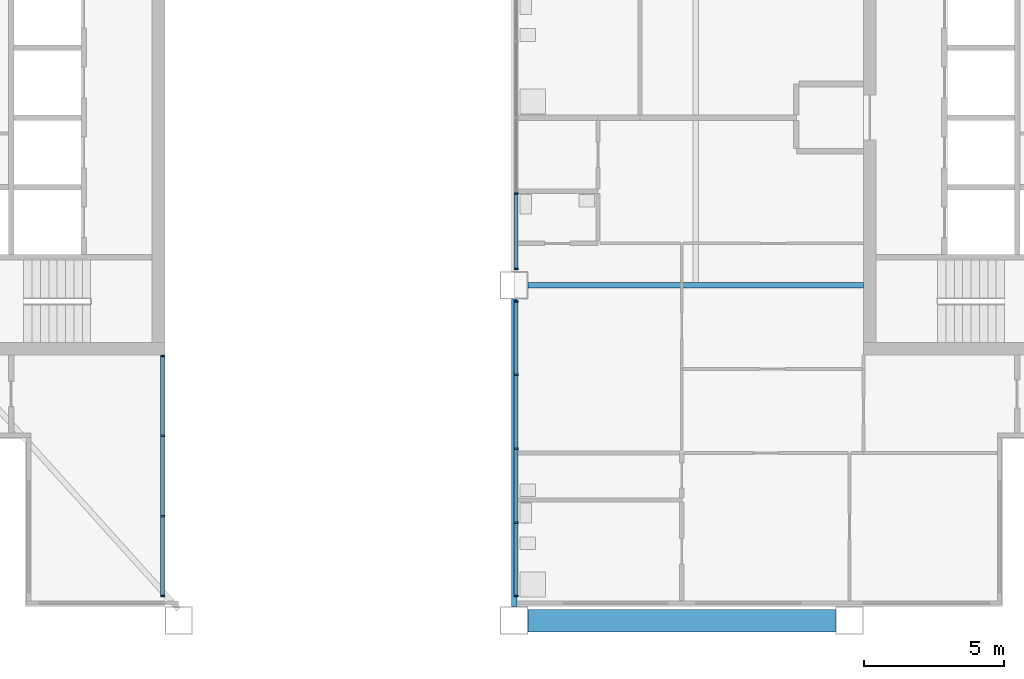
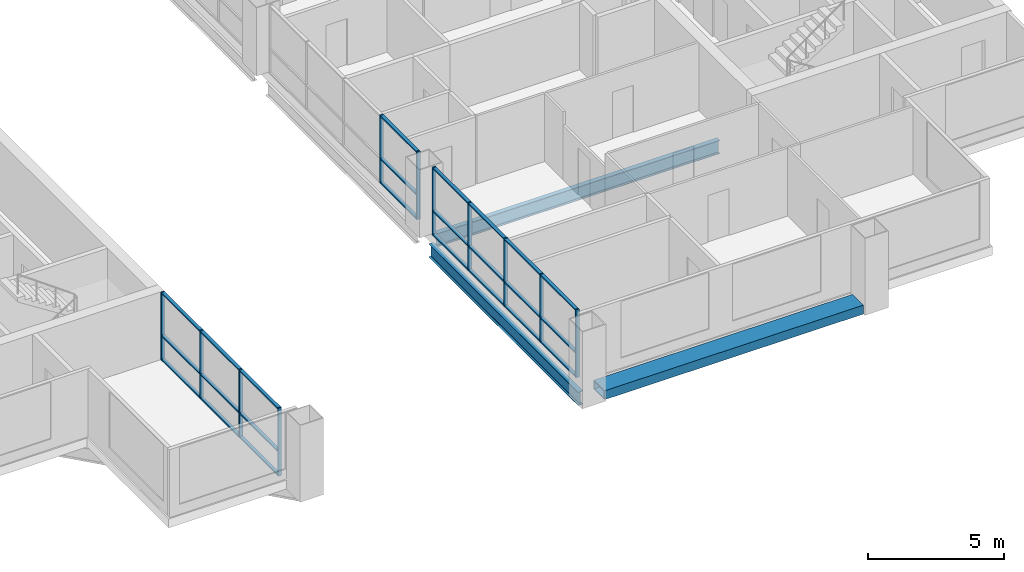
# One storey, part 2 of 12: 35 members, 3 beams, 3 elements without a shape of their own.
"""IFC4 building model written with IfcOpenShell, lengths in metres."""

from ifc_helpers import new_model, si_unit, direction, frame, origin, origin_2d, place, context, subcontext, project, spatial, rectangle, hollow_rectangle, i_section, extrude, material, material_profile, profile_set, type_object, element, aggregate, save


model = new_model("IFC4")

# Units and contexts
model_context = context("Model", 3, precision=1e-05, world=origin(), true_north=direction((0.0, 1.0)))
body_context = subcontext(model_context, "Body", "Model", "MODEL_VIEW")
ifc_project = project(units=[si_unit("LENGTHUNIT", "METRE"), si_unit("AREAUNIT", "SQUARE_METRE"), si_unit("VOLUMEUNIT", "CUBIC_METRE"), si_unit("PLANEANGLEUNIT", "RADIAN"), si_unit("MASSUNIT", "GRAM", prefix="KILO")], contexts=[model_context])

# Site, building, storey
site_placement = place(None, origin())
site = spatial("IfcSite", under=ifc_project, at=site_placement, CompositionType="ELEMENT")
building_placement = place(site_placement, origin())
building = spatial("IfcBuilding", under=site, at=building_placement, Name="Kitamizu Gate Tower and Museum", CompositionType="ELEMENT")
storey_placement = place(building_placement, frame((0.0, 0.0, 255.89990234375)))
storey = spatial("IfcBuildingStorey", under=building, at=storey_placement, Name="L69", CompositionType="ELEMENT", Elevation=255.89990234375)

# Beams
ifc_material_1 = material(Name="Steel SM490A bronze coated", Category="steel")
ifc_material_profile_1 = material_profile(ifc_material_1, hollow_rectangle(XDim=0.800048828125, YDim=0.39990234375, WallThickness=0.0400390625, at=origin_2d()), Name="BOX 800x400x40")
ifc_profile_set_1 = profile_set([ifc_material_profile_1], Name="Steel SM490A bronze coated")
beam_type_1 = type_object("IfcBeamType", Name="Exoskeleton spandrel beam SB1 BOX 800x400x40", PredefinedType="SPANDREL", material=ifc_profile_set_1)
beam_1_placement = place(storey_placement, frame((36.5, 12.0, -0.199951171875), z_axis=(1.0, 0.0, 0.0), x_axis=(0.0, 1.0, 0.0)))
element("IfcBeam", 1, at=beam_1_placement, inside=storey, type_object=beam_type_1, Name="Exoskeleton spandrel beam south 36 L69", PredefinedType="SPANDREL", context=body_context, shape_type="SweptSolid", body=[
    extrude(hollow_rectangle(XDim=0.800048828125, YDim=0.39990234375, WallThickness=0.0400390625, at=origin_2d()), origin(), (0.0, 0.0, 1.0), 11.0),
])
ifc_material_2 = material(Name="Steel SM490A", Category="steel")
ifc_material_profile_2 = material_profile(ifc_material_2, i_section(OverallWidth=0.199951171875, OverallDepth=0.60009765625, WebThickness=0.010986328125, FlangeThickness=0.01708984375, FilletRadius=0.02197265625, at=origin_2d()), Name="H-600x200x11x17")
ifc_profile_set_2 = profile_set([ifc_material_profile_2], Name="Steel SM490A")
beam_type_2 = type_object("IfcBeamType", Name="Floor girder FG1 H 600x200x11x17", PredefinedType="BEAM", material=ifc_profile_set_2)
beam_2_placement = place(storey_placement, frame((36.0, 12.5, -0.699951171875), z_axis=(0.0, 1.0, 0.0), x_axis=(-1.0, 0.0, 0.0)))
element("IfcBeam", 2, at=beam_2_placement, inside=storey, type_object=beam_type_2, Name="Floor girder FG1 x36 L69", PredefinedType="BEAM", context=body_context, shape_type="SweptSolid", body=[
    extrude(i_section(OverallWidth=0.199951171875, OverallDepth=0.60009765625, WebThickness=0.010986328125, FlangeThickness=0.01708984375, FilletRadius=0.02197265625, at=origin_2d()), origin(), (0.0, 0.0, 1.0), 11.0),
])
beam_3_placement = place(storey_placement, frame((36.5, 24.0, -0.699951171875), z_axis=(1.0, 0.0, 0.0), x_axis=(0.0, 1.0, 0.0)))
element("IfcBeam", 3, at=beam_3_placement, inside=storey, type_object=beam_type_2, Name="Floor girder FG1 y24 L69", PredefinedType="BEAM", context=body_context, shape_type="SweptSolid", body=[
    extrude(i_section(OverallWidth=0.199951171875, OverallDepth=0.60009765625, WebThickness=0.010986328125, FlangeThickness=0.01708984375, FilletRadius=0.02197265625, at=origin_2d()), origin(), (0.0, 0.0, 1.0), 12.0),
])

# Curtain wall, members
ifc_material_3 = material(Name="Bronze anodised aluminium frame, tinted triple glazing", Category="aluminium")
curtain_wall_type = type_object("IfcCurtainWallType", Name="CURTAIN WALL TYPE C SKY AMENITY", PredefinedType="NOTDEFINED", material=ifc_material_3)
curtain_wall_1_placement = place(storey_placement, origin())
curtain_wall_1 = element("IfcCurtainWall", 4, at=curtain_wall_1_placement, inside=storey, type_object=curtain_wall_type, Name="Curtain wall CW-C portal W L69", PredefinedType="NOTDEFINED")
ifc_material_4 = material(Name="Bronze anodised aluminium", Category="aluminium")
ifc_material_profile_3 = material_profile(ifc_material_4, rectangle(XDim=0.06005859375, YDim=0.14990234375, at=origin_2d()), Name="AL 60X150")
ifc_profile_set_3 = profile_set([ifc_material_profile_3], Name="Bronze anodised aluminium")
member_type_1 = type_object("IfcMemberType", Name="MULLION 60 X 150 TYPE C", PredefinedType="MULLION", material=ifc_profile_set_3)
member_1_placement = place(storey_placement, frame((23.425048828125, 12.8798828125, 0.0), z_axis=(0.0, 0.0, 1.0), x_axis=(0.0, 1.0, 0.0)))
member_1 = element("IfcMember", 5, at=member_1_placement, type_object=member_type_1, Name="CW-C mullion 1", PredefinedType="MULLION", context=body_context, shape_type="SweptSolid", body=[
    extrude(rectangle(XDim=0.06005859375, YDim=0.14990234375, at=origin_2d()), origin(), (0.0, 0.0, 1.0), 3.050048828125),
])
member_2_placement = place(storey_placement, frame((23.425048828125, 15.7333984375, 0.0), z_axis=(0.0, 0.0, 1.0), x_axis=(0.0, 1.0, 0.0)))
member_2 = element("IfcMember", 6, at=member_2_placement, type_object=member_type_1, Name="CW-C mullion 2", PredefinedType="MULLION", context=body_context, shape_type="SweptSolid", body=[
    extrude(rectangle(XDim=0.06005859375, YDim=0.14990234375, at=origin_2d()), origin(), (0.0, 0.0, 1.0), 3.050048828125),
])
member_3_placement = place(storey_placement, frame((23.425048828125, 18.61669921875, 0.0), z_axis=(0.0, 0.0, 1.0), x_axis=(0.0, 1.0, 0.0)))
member_3 = element("IfcMember", 7, at=member_3_placement, type_object=member_type_1, Name="CW-C mullion 3", PredefinedType="MULLION", context=body_context, shape_type="SweptSolid", body=[
    extrude(rectangle(XDim=0.06005859375, YDim=0.14990234375, at=origin_2d()), origin(), (0.0, 0.0, 1.0), 3.050048828125),
])
member_4_placement = place(storey_placement, frame((23.425048828125, 21.469970703125, 0.0), z_axis=(0.0, 0.0, 1.0), x_axis=(0.0, 1.0, 0.0)))
member_4 = element("IfcMember", 8, at=member_4_placement, type_object=member_type_1, Name="CW-C mullion 4", PredefinedType="MULLION", context=body_context, shape_type="SweptSolid", body=[
    extrude(rectangle(XDim=0.06005859375, YDim=0.14990234375, at=origin_2d()), origin(), (0.0, 0.0, 1.0), 3.050048828125),
])

curtain_wall_2_placement = place(storey_placement, origin())
curtain_wall_2 = element("IfcCurtainWall", 9, at=curtain_wall_2_placement, inside=storey, type_object=curtain_wall_type, Name="Curtain wall CW-C portal E L69", PredefinedType="NOTDEFINED")
member_5_placement = place(storey_placement, frame((36.074951171875, 12.8798828125, 0.0), z_axis=(0.0, 0.0, 1.0), x_axis=(0.0, 1.0, 0.0)))
member_5 = element("IfcMember", 10, at=member_5_placement, type_object=member_type_1, Name="CW-C mullion 1", PredefinedType="MULLION", context=body_context, shape_type="SweptSolid", body=[
    extrude(rectangle(XDim=0.06005859375, YDim=0.14990234375, at=origin_2d()), origin(), (0.0, 0.0, 1.0), 3.050048828125),
])
member_6_placement = place(storey_placement, frame((36.074951171875, 15.498779296875, 0.0), z_axis=(0.0, 0.0, 1.0), x_axis=(0.0, 1.0, 0.0)))
member_6 = element("IfcMember", 11, at=member_6_placement, type_object=member_type_1, Name="CW-C mullion 2", PredefinedType="MULLION", context=body_context, shape_type="SweptSolid", body=[
    extrude(rectangle(XDim=0.06005859375, YDim=0.14990234375, at=origin_2d()), origin(), (0.0, 0.0, 1.0), 3.050048828125),
])
member_7_placement = place(storey_placement, frame((36.074951171875, 18.1474609375, 0.0), z_axis=(0.0, 0.0, 1.0), x_axis=(0.0, 1.0, 0.0)))
member_7 = element("IfcMember", 12, at=member_7_placement, type_object=member_type_1, Name="CW-C mullion 3", PredefinedType="MULLION", context=body_context, shape_type="SweptSolid", body=[
    extrude(rectangle(XDim=0.06005859375, YDim=0.14990234375, at=origin_2d()), origin(), (0.0, 0.0, 1.0), 3.050048828125),
])
member_8_placement = place(storey_placement, frame((36.074951171875, 20.796142578125, 0.0), z_axis=(0.0, 0.0, 1.0), x_axis=(0.0, 1.0, 0.0)))
member_8 = element("IfcMember", 13, at=member_8_placement, type_object=member_type_1, Name="CW-C mullion 4", PredefinedType="MULLION", context=body_context, shape_type="SweptSolid", body=[
    extrude(rectangle(XDim=0.06005859375, YDim=0.14990234375, at=origin_2d()), origin(), (0.0, 0.0, 1.0), 3.050048828125),
])
member_9_placement = place(storey_placement, frame((36.074951171875, 23.4150390625, 0.0), z_axis=(0.0, 0.0, 1.0), x_axis=(0.0, 1.0, 0.0)))
member_9 = element("IfcMember", 14, at=member_9_placement, type_object=member_type_1, Name="CW-C mullion 5", PredefinedType="MULLION", context=body_context, shape_type="SweptSolid", body=[
    extrude(rectangle(XDim=0.06005859375, YDim=0.14990234375, at=origin_2d()), origin(), (0.0, 0.0, 1.0), 3.050048828125),
])

curtain_wall_3_placement = place(storey_placement, origin())
curtain_wall_3 = element("IfcCurtainWall", 15, at=curtain_wall_3_placement, inside=storey, type_object=curtain_wall_type, Name="Curtain wall CW-C portal E L69", PredefinedType="NOTDEFINED")
member_10_placement = place(storey_placement, frame((36.074951171875, 24.5849609375, 0.0), z_axis=(0.0, 0.0, 1.0), x_axis=(0.0, 1.0, 0.0)))
member_10 = element("IfcMember", 16, at=member_10_placement, type_object=member_type_1, Name="CW-C mullion 1", PredefinedType="MULLION", context=body_context, shape_type="SweptSolid", body=[
    extrude(rectangle(XDim=0.06005859375, YDim=0.14990234375, at=origin_2d()), origin(), (0.0, 0.0, 1.0), 3.050048828125),
])
member_11_placement = place(storey_placement, frame((36.074951171875, 27.277587890625, 0.0), z_axis=(0.0, 0.0, 1.0), x_axis=(0.0, 1.0, 0.0)))
member_11 = element("IfcMember", 17, at=member_11_placement, type_object=member_type_1, Name="CW-C mullion 2", PredefinedType="MULLION", context=body_context, shape_type="SweptSolid", body=[
    extrude(rectangle(XDim=0.06005859375, YDim=0.14990234375, at=origin_2d()), origin(), (0.0, 0.0, 1.0), 3.050048828125),
])

# Member
ifc_material_5 = material(Name="Bronze anodised aluminium", Category="aluminium")
ifc_material_profile_4 = material_profile(ifc_material_5, rectangle(XDim=0.139892578125, YDim=0.06005859375, at=origin_2d()), Name="AL 60X140")
ifc_profile_set_4 = profile_set([ifc_material_profile_4], Name="Bronze anodised aluminium")
member_type_2 = type_object("IfcMemberType", Name="TRANSOM 60 X 140 TYPE C", PredefinedType="USERDEFINED", material=ifc_profile_set_4)
member_12_placement = place(storey_placement, frame((23.425048828125, 12.909912109375, 0.030029296875), z_axis=(0.0, 1.0, 0.0), x_axis=(-1.0, 0.0, 0.0)))
member_12 = element("IfcMember", 18, at=member_12_placement, type_object=member_type_2, Name="CW-C transom 1.1", ObjectType="TRANSOM", PredefinedType="USERDEFINED", context=body_context, shape_type="SweptSolid", body=[
    extrude(rectangle(XDim=0.139892578125, YDim=0.06005859375, at=origin_2d()), origin(), (0.0, 0.0, 1.0), 2.79345703125),
])

member_13_placement = place(storey_placement, frame((23.425048828125, 12.909912109375, 1.10009765625), z_axis=(0.0, 1.0, 0.0), x_axis=(-1.0, 0.0, 0.0)))
member_13 = element("IfcMember", 19, at=member_13_placement, type_object=member_type_2, Name="CW-C transom 1.2", ObjectType="TRANSOM", PredefinedType="USERDEFINED", context=body_context, shape_type="SweptSolid", body=[
    extrude(rectangle(XDim=0.139892578125, YDim=0.06005859375, at=origin_2d()), origin(), (0.0, 0.0, 1.0), 2.79345703125),
])

member_14_placement = place(storey_placement, frame((23.425048828125, 12.909912109375, 3.02001953125), z_axis=(0.0, 1.0, 0.0), x_axis=(-1.0, 0.0, 0.0)))
member_14 = element("IfcMember", 20, at=member_14_placement, type_object=member_type_2, Name="CW-C transom 1.3", ObjectType="TRANSOM", PredefinedType="USERDEFINED", context=body_context, shape_type="SweptSolid", body=[
    extrude(rectangle(XDim=0.139892578125, YDim=0.06005859375, at=origin_2d()), origin(), (0.0, 0.0, 1.0), 2.79345703125),
])

member_15_placement = place(storey_placement, frame((23.425048828125, 15.763427734375, 0.030029296875), z_axis=(0.0, 1.0, 0.0), x_axis=(-1.0, 0.0, 0.0)))
member_15 = element("IfcMember", 21, at=member_15_placement, type_object=member_type_2, Name="CW-C transom 2.1", ObjectType="TRANSOM", PredefinedType="USERDEFINED", context=body_context, shape_type="SweptSolid", body=[
    extrude(rectangle(XDim=0.139892578125, YDim=0.06005859375, at=origin_2d()), origin(), (0.0, 0.0, 1.0), 2.8232421875),
])

member_16_placement = place(storey_placement, frame((23.425048828125, 15.763427734375, 1.10009765625), z_axis=(0.0, 1.0, 0.0), x_axis=(-1.0, 0.0, 0.0)))
member_16 = element("IfcMember", 22, at=member_16_placement, type_object=member_type_2, Name="CW-C transom 2.2", ObjectType="TRANSOM", PredefinedType="USERDEFINED", context=body_context, shape_type="SweptSolid", body=[
    extrude(rectangle(XDim=0.139892578125, YDim=0.06005859375, at=origin_2d()), origin(), (0.0, 0.0, 1.0), 2.8232421875),
])

member_17_placement = place(storey_placement, frame((23.425048828125, 15.763427734375, 3.02001953125), z_axis=(0.0, 1.0, 0.0), x_axis=(-1.0, 0.0, 0.0)))
member_17 = element("IfcMember", 23, at=member_17_placement, type_object=member_type_2, Name="CW-C transom 2.3", ObjectType="TRANSOM", PredefinedType="USERDEFINED", context=body_context, shape_type="SweptSolid", body=[
    extrude(rectangle(XDim=0.139892578125, YDim=0.06005859375, at=origin_2d()), origin(), (0.0, 0.0, 1.0), 2.8232421875),
])

member_18_placement = place(storey_placement, frame((23.425048828125, 18.646728515625, 0.030029296875), z_axis=(0.0, 1.0, 0.0), x_axis=(-1.0, 0.0, 0.0)))
member_18 = element("IfcMember", 24, at=member_18_placement, type_object=member_type_2, Name="CW-C transom 3.1", ObjectType="TRANSOM", PredefinedType="USERDEFINED", context=body_context, shape_type="SweptSolid", body=[
    extrude(rectangle(XDim=0.139892578125, YDim=0.06005859375, at=origin_2d()), origin(), (0.0, 0.0, 1.0), 2.793212890625),
])

member_19_placement = place(storey_placement, frame((23.425048828125, 18.646728515625, 1.10009765625), z_axis=(0.0, 1.0, 0.0), x_axis=(-1.0, 0.0, 0.0)))
member_19 = element("IfcMember", 25, at=member_19_placement, type_object=member_type_2, Name="CW-C transom 3.2", ObjectType="TRANSOM", PredefinedType="USERDEFINED", context=body_context, shape_type="SweptSolid", body=[
    extrude(rectangle(XDim=0.139892578125, YDim=0.06005859375, at=origin_2d()), origin(), (0.0, 0.0, 1.0), 2.793212890625),
])

member_20_placement = place(storey_placement, frame((23.425048828125, 18.646728515625, 3.02001953125), z_axis=(0.0, 1.0, 0.0), x_axis=(-1.0, 0.0, 0.0)))
member_20 = element("IfcMember", 26, at=member_20_placement, type_object=member_type_2, Name="CW-C transom 3.3", ObjectType="TRANSOM", PredefinedType="USERDEFINED", context=body_context, shape_type="SweptSolid", body=[
    extrude(rectangle(XDim=0.139892578125, YDim=0.06005859375, at=origin_2d()), origin(), (0.0, 0.0, 1.0), 2.793212890625),
])

aggregate(curtain_wall_1, [member_1, member_2, member_3, member_4, member_12, member_13, member_14, member_15, member_16, member_17, member_18, member_19, member_20])

member_21_placement = place(storey_placement, frame((36.074951171875, 12.909912109375, 0.030029296875), z_axis=(0.0, 1.0, 0.0), x_axis=(-1.0, 0.0, 0.0)))
member_21 = element("IfcMember", 27, at=member_21_placement, type_object=member_type_2, Name="CW-C transom 1.1", ObjectType="TRANSOM", PredefinedType="USERDEFINED", context=body_context, shape_type="SweptSolid", body=[
    extrude(rectangle(XDim=0.139892578125, YDim=0.06005859375, at=origin_2d()), origin(), (0.0, 0.0, 1.0), 2.558837890625),
])

member_22_placement = place(storey_placement, frame((36.074951171875, 12.909912109375, 1.10009765625), z_axis=(0.0, 1.0, 0.0), x_axis=(-1.0, 0.0, 0.0)))
member_22 = element("IfcMember", 28, at=member_22_placement, type_object=member_type_2, Name="CW-C transom 1.2", ObjectType="TRANSOM", PredefinedType="USERDEFINED", context=body_context, shape_type="SweptSolid", body=[
    extrude(rectangle(XDim=0.139892578125, YDim=0.06005859375, at=origin_2d()), origin(), (0.0, 0.0, 1.0), 2.558837890625),
])

member_23_placement = place(storey_placement, frame((36.074951171875, 12.909912109375, 3.02001953125), z_axis=(0.0, 1.0, 0.0), x_axis=(-1.0, 0.0, 0.0)))
member_23 = element("IfcMember", 29, at=member_23_placement, type_object=member_type_2, Name="CW-C transom 1.3", ObjectType="TRANSOM", PredefinedType="USERDEFINED", context=body_context, shape_type="SweptSolid", body=[
    extrude(rectangle(XDim=0.139892578125, YDim=0.06005859375, at=origin_2d()), origin(), (0.0, 0.0, 1.0), 2.558837890625),
])

member_24_placement = place(storey_placement, frame((36.074951171875, 15.52880859375, 0.030029296875), z_axis=(0.0, 1.0, 0.0), x_axis=(-1.0, 0.0, 0.0)))
member_24 = element("IfcMember", 30, at=member_24_placement, type_object=member_type_2, Name="CW-C transom 2.1", ObjectType="TRANSOM", PredefinedType="USERDEFINED", context=body_context, shape_type="SweptSolid", body=[
    extrude(rectangle(XDim=0.139892578125, YDim=0.06005859375, at=origin_2d()), origin(), (0.0, 0.0, 1.0), 2.588623046875),
])

member_25_placement = place(storey_placement, frame((36.074951171875, 15.52880859375, 1.10009765625), z_axis=(0.0, 1.0, 0.0), x_axis=(-1.0, 0.0, 0.0)))
member_25 = element("IfcMember", 31, at=member_25_placement, type_object=member_type_2, Name="CW-C transom 2.2", ObjectType="TRANSOM", PredefinedType="USERDEFINED", context=body_context, shape_type="SweptSolid", body=[
    extrude(rectangle(XDim=0.139892578125, YDim=0.06005859375, at=origin_2d()), origin(), (0.0, 0.0, 1.0), 2.588623046875),
])

member_26_placement = place(storey_placement, frame((36.074951171875, 15.52880859375, 3.02001953125), z_axis=(0.0, 1.0, 0.0), x_axis=(-1.0, 0.0, 0.0)))
member_26 = element("IfcMember", 32, at=member_26_placement, type_object=member_type_2, Name="CW-C transom 2.3", ObjectType="TRANSOM", PredefinedType="USERDEFINED", context=body_context, shape_type="SweptSolid", body=[
    extrude(rectangle(XDim=0.139892578125, YDim=0.06005859375, at=origin_2d()), origin(), (0.0, 0.0, 1.0), 2.588623046875),
])

member_27_placement = place(storey_placement, frame((36.074951171875, 18.177490234375, 0.030029296875), z_axis=(0.0, 1.0, 0.0), x_axis=(-1.0, 0.0, 0.0)))
member_27 = element("IfcMember", 33, at=member_27_placement, type_object=member_type_2, Name="CW-C transom 3.1", ObjectType="TRANSOM", PredefinedType="USERDEFINED", context=body_context, shape_type="SweptSolid", body=[
    extrude(rectangle(XDim=0.139892578125, YDim=0.06005859375, at=origin_2d()), origin(), (0.0, 0.0, 1.0), 2.5888671875),
])

member_28_placement = place(storey_placement, frame((36.074951171875, 18.177490234375, 1.10009765625), z_axis=(0.0, 1.0, 0.0), x_axis=(-1.0, 0.0, 0.0)))
member_28 = element("IfcMember", 34, at=member_28_placement, type_object=member_type_2, Name="CW-C transom 3.2", ObjectType="TRANSOM", PredefinedType="USERDEFINED", context=body_context, shape_type="SweptSolid", body=[
    extrude(rectangle(XDim=0.139892578125, YDim=0.06005859375, at=origin_2d()), origin(), (0.0, 0.0, 1.0), 2.5888671875),
])

member_29_placement = place(storey_placement, frame((36.074951171875, 18.177490234375, 3.02001953125), z_axis=(0.0, 1.0, 0.0), x_axis=(-1.0, 0.0, 0.0)))
member_29 = element("IfcMember", 35, at=member_29_placement, type_object=member_type_2, Name="CW-C transom 3.3", ObjectType="TRANSOM", PredefinedType="USERDEFINED", context=body_context, shape_type="SweptSolid", body=[
    extrude(rectangle(XDim=0.139892578125, YDim=0.06005859375, at=origin_2d()), origin(), (0.0, 0.0, 1.0), 2.5888671875),
])

member_30_placement = place(storey_placement, frame((36.074951171875, 20.826171875, 0.030029296875), z_axis=(0.0, 1.0, 0.0), x_axis=(-1.0, 0.0, 0.0)))
member_30 = element("IfcMember", 36, at=member_30_placement, type_object=member_type_2, Name="CW-C transom 4.1", ObjectType="TRANSOM", PredefinedType="USERDEFINED", context=body_context, shape_type="SweptSolid", body=[
    extrude(rectangle(XDim=0.139892578125, YDim=0.06005859375, at=origin_2d()), origin(), (0.0, 0.0, 1.0), 2.558837890625),
])

member_31_placement = place(storey_placement, frame((36.074951171875, 20.826171875, 1.10009765625), z_axis=(0.0, 1.0, 0.0), x_axis=(-1.0, 0.0, 0.0)))
member_31 = element("IfcMember", 37, at=member_31_placement, type_object=member_type_2, Name="CW-C transom 4.2", ObjectType="TRANSOM", PredefinedType="USERDEFINED", context=body_context, shape_type="SweptSolid", body=[
    extrude(rectangle(XDim=0.139892578125, YDim=0.06005859375, at=origin_2d()), origin(), (0.0, 0.0, 1.0), 2.558837890625),
])

member_32_placement = place(storey_placement, frame((36.074951171875, 20.826171875, 3.02001953125), z_axis=(0.0, 1.0, 0.0), x_axis=(-1.0, 0.0, 0.0)))
member_32 = element("IfcMember", 38, at=member_32_placement, type_object=member_type_2, Name="CW-C transom 4.3", ObjectType="TRANSOM", PredefinedType="USERDEFINED", context=body_context, shape_type="SweptSolid", body=[
    extrude(rectangle(XDim=0.139892578125, YDim=0.06005859375, at=origin_2d()), origin(), (0.0, 0.0, 1.0), 2.558837890625),
])

aggregate(curtain_wall_2, [member_5, member_6, member_7, member_8, member_9, member_21, member_22, member_23, member_24, member_25, member_26, member_27, member_28, member_29, member_30, member_31, member_32])

member_33_placement = place(storey_placement, frame((36.074951171875, 24.614990234375, 0.030029296875), z_axis=(0.0, 1.0, 0.0), x_axis=(-1.0, 0.0, 0.0)))
member_33 = element("IfcMember", 39, at=member_33_placement, type_object=member_type_2, Name="CW-C transom 1.1", ObjectType="TRANSOM", PredefinedType="USERDEFINED", context=body_context, shape_type="SweptSolid", body=[
    extrude(rectangle(XDim=0.139892578125, YDim=0.06005859375, at=origin_2d()), origin(), (0.0, 0.0, 1.0), 2.632568359375),
])

member_34_placement = place(storey_placement, frame((36.074951171875, 24.614990234375, 1.10009765625), z_axis=(0.0, 1.0, 0.0), x_axis=(-1.0, 0.0, 0.0)))
member_34 = element("IfcMember", 40, at=member_34_placement, type_object=member_type_2, Name="CW-C transom 1.2", ObjectType="TRANSOM", PredefinedType="USERDEFINED", context=body_context, shape_type="SweptSolid", body=[
    extrude(rectangle(XDim=0.139892578125, YDim=0.06005859375, at=origin_2d()), origin(), (0.0, 0.0, 1.0), 2.632568359375),
])

member_35_placement = place(storey_placement, frame((36.074951171875, 24.614990234375, 3.02001953125), z_axis=(0.0, 1.0, 0.0), x_axis=(-1.0, 0.0, 0.0)))
member_35 = element("IfcMember", 41, at=member_35_placement, type_object=member_type_2, Name="CW-C transom 1.3", ObjectType="TRANSOM", PredefinedType="USERDEFINED", context=body_context, shape_type="SweptSolid", body=[
    extrude(rectangle(XDim=0.139892578125, YDim=0.06005859375, at=origin_2d()), origin(), (0.0, 0.0, 1.0), 2.632568359375),
])

aggregate(curtain_wall_3, [member_10, member_11, member_33, member_34, member_35])

save(model, "model.ifc")
